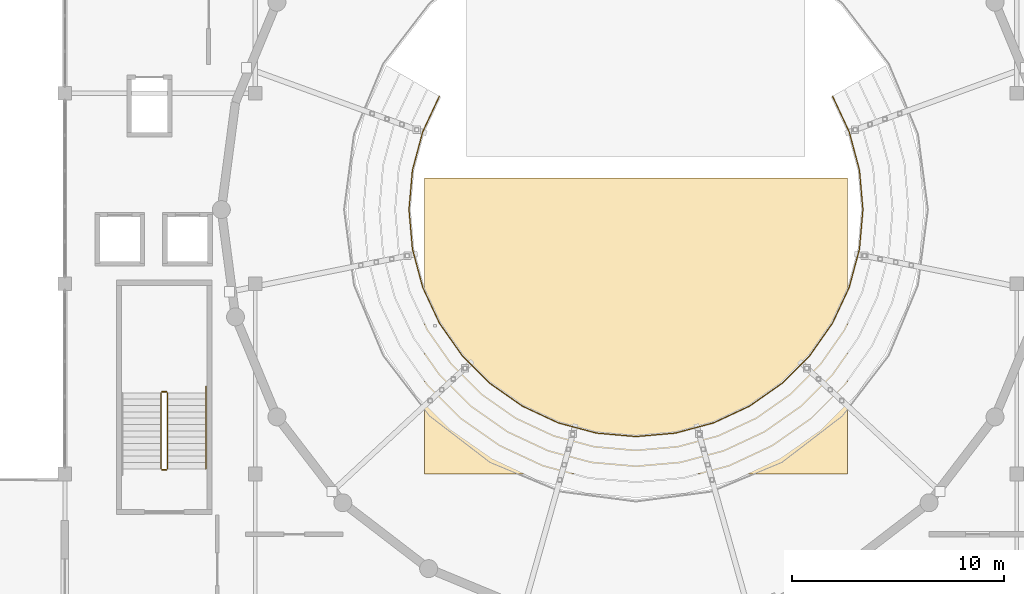
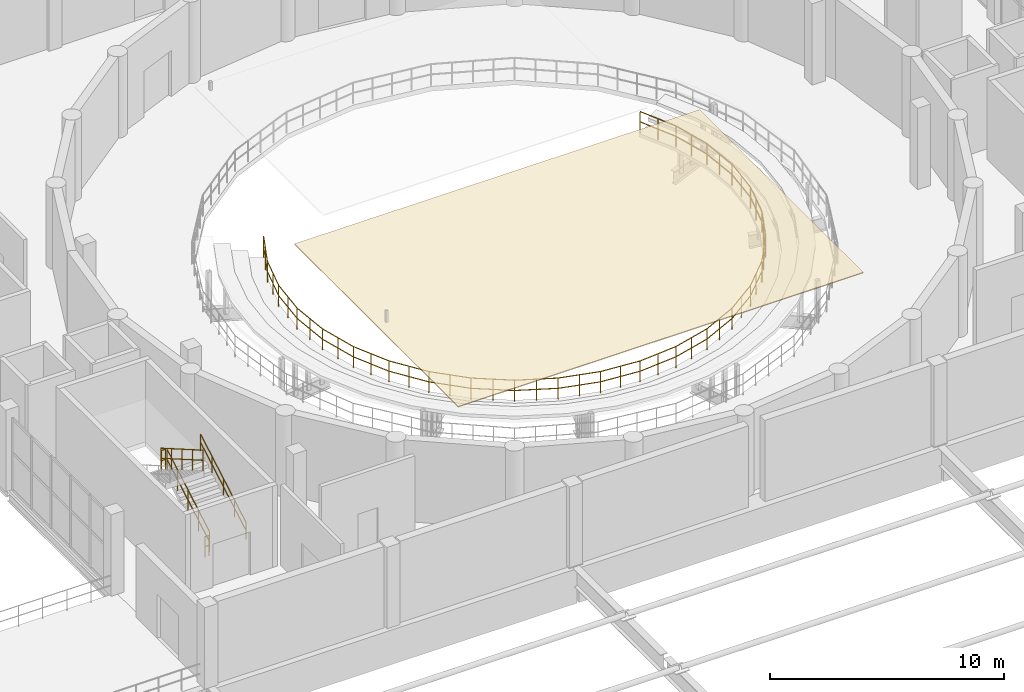
# One storey, part 49 of 54: 6 railings, 1 covering.
"""IFC4 building model written with IfcOpenShell, lengths in metres."""

from ifc_helpers import new_model, si_unit, direction, frame, origin, origin_2d, place, context, subcontext, project, spatial, polyline, circle, outline, extrude, material, layer, layer_set, type_object, element, save


model = new_model("IFC4")

# Units and contexts
model_context = context("Model", 3, precision=1e-05, world=origin(), true_north=direction((0.0, 1.0)))
body_context = subcontext(model_context, "Body", "Model", "MODEL_VIEW")
ifc_project = project(units=[si_unit("LENGTHUNIT", "METRE"), si_unit("AREAUNIT", "SQUARE_METRE"), si_unit("VOLUMEUNIT", "CUBIC_METRE"), si_unit("PLANEANGLEUNIT", "RADIAN"), si_unit("MASSUNIT", "GRAM", prefix="KILO")], contexts=[model_context])

# Site, building, storey
site_placement = place(None, origin())
site = spatial("IfcSite", under=ifc_project, at=site_placement, CompositionType="ELEMENT")
building_placement = place(site_placement, origin())
building = spatial("IfcBuilding", under=site, at=building_placement, Name="Marnock Terrace Opera House", CompositionType="ELEMENT")
storey_placement = place(building_placement, frame((0.0, 0.0, 19.199951171875)))
storey = spatial("IfcBuildingStorey", under=building, at=storey_placement, Name="L04", CompositionType="ELEMENT", Elevation=19.199951171875)

# Covering
ifc_material_1 = material(Name="Perforated Tasmanian oak acoustic ceiling reflector")
ifc_layer = layer(ifc_material_1, 0.044921875)
ifc_layer_set = layer_set([ifc_layer], Name="Perforated Tasmanian oak acoustic ceiling reflector")
covering_type = type_object("IfcCoveringType", Name="COV-CEIL-OAK", PredefinedType="CEILING", material=ifc_layer_set)
covering_placement = place(storey_placement, frame((0.0, 0.0, 3.60009765625)))
element("IfcCovering", 1, at=covering_placement, inside=storey, type_object=covering_type, Name="L04 acoustic reflector ceiling CLG-AUD-CLOUD1", PredefinedType="CEILING", context=body_context, shape_type="SweptSolid", body=[
    extrude(outline(polyline([(72.0, 48.0), (92.0, 48.0), (92.0, 62.0), (72.0, 62.0), (72.0, 48.0)])), origin(), (0.0, 0.0, 1.0), 0.044921875),
])

# Railings
ifc_material_2 = material(Name="Architectural bronze balustrade")
railing_type_1 = type_object("IfcRailingType", Name="RL-ATRIUM-1120", PredefinedType="BALUSTRADE", material=ifc_material_2)
railing_1_placement = place(storey_placement, frame((72.70751953125, 65.864990234375, 0.35009765625)))
element("IfcRailing", 2, at=railing_1_placement, inside=storey, type_object=railing_type_1, Name="L04 floor opening balustrade TIER-FRONT-L04", PredefinedType="BALUSTRADE", context=body_context, shape_type="SweptSolid", body=[
    extrude(circle(Radius=0.02392578125, at=origin_2d()), frame((0.0, 0.0, 1.09619140625), z_axis=(-0.422663928723, -0.906286490773, 0.0), x_axis=(0.906286490773, -0.422663928723, 0.0)), (0.0, 0.0, 1.0), 1.870361328125),
    extrude(circle(Radius=0.02392578125, at=origin_2d()), frame((0.0, 0.0, 0.56005859375), z_axis=(-0.422663928723, -0.906286490773, 0.0), x_axis=(0.906286490773, -0.422663928723, 0.0)), (0.0, 0.0, 1.0), 1.870361328125),
    extrude(circle(Radius=0.02392578125, at=origin_2d()), frame((-0.79052734375, -1.695068359375, 1.09619140625), z_axis=(-0.258718685807, -0.965952711893, 0.0), x_axis=(0.965952711893, -0.258718685807, 0.0)), (0.0, 0.0, 1.0), 1.870361328125),
    extrude(circle(Radius=0.02392578125, at=origin_2d()), frame((-0.79052734375, -1.695068359375, 0.56005859375), z_axis=(-0.258718685807, -0.965952711893, 0.0), x_axis=(0.965952711893, -0.258718685807, 0.0)), (0.0, 0.0, 1.0), 1.870361328125),
    extrude(circle(Radius=0.02392578125, at=origin_2d()), frame((-1.2744140625, -3.501708984375, 1.09619140625), z_axis=(-0.087192857545, -0.996191450271, 0.0), x_axis=(0.996191450271, -0.087192857545, 0.0)), (0.0, 0.0, 1.0), 1.870361328125),
    extrude(circle(Radius=0.02392578125, at=origin_2d()), frame((-1.2744140625, -3.501708984375, 0.56005859375), z_axis=(-0.087192857545, -0.996191450271, 0.0), x_axis=(0.996191450271, -0.087192857545, 0.0)), (0.0, 0.0, 1.0), 1.870361328125),
    extrude(circle(Radius=0.02392578125, at=origin_2d()), frame((-1.4375, -5.364990234375, 1.09619140625), z_axis=(0.087192857545, -0.996191450271, 0.0), x_axis=(0.996191450271, 0.087192857545, 0.0)), (0.0, 0.0, 1.0), 1.870361328125),
    extrude(circle(Radius=0.02392578125, at=origin_2d()), frame((-1.4375, -5.364990234375, 0.56005859375), z_axis=(0.087192857545, -0.996191450271, 0.0), x_axis=(0.996191450271, 0.087192857545, 0.0)), (0.0, 0.0, 1.0), 1.870361328125),
    extrude(circle(Radius=0.02392578125, at=origin_2d()), frame((-1.2744140625, -7.228271484375, 1.09619140625), z_axis=(0.258718685807, -0.965952711893, 0.0), x_axis=(0.965952711893, 0.258718685807, 0.0)), (0.0, 0.0, 1.0), 1.870361328125),
    extrude(circle(Radius=0.02392578125, at=origin_2d()), frame((-1.2744140625, -7.228271484375, 0.56005859375), z_axis=(0.258718685807, -0.965952711893, 0.0), x_axis=(0.965952711893, 0.258718685807, 0.0)), (0.0, 0.0, 1.0), 1.870361328125),
    extrude(circle(Radius=0.02392578125, at=origin_2d()), frame((-0.79052734375, -9.034912109375, 1.09619140625), z_axis=(0.422663928723, -0.906286490773, 0.0), x_axis=(0.906286490773, 0.422663928723, 0.0)), (0.0, 0.0, 1.0), 1.870361328125),
    extrude(circle(Radius=0.02392578125, at=origin_2d()), frame((-0.79052734375, -9.034912109375, 0.56005859375), z_axis=(0.422663928723, -0.906286490773, 0.0), x_axis=(0.906286490773, 0.422663928723, 0.0)), (0.0, 0.0, 1.0), 1.870361328125),
    extrude(circle(Radius=0.02392578125, at=origin_2d()), frame((0.0, -10.72998046875, 1.09619140625), z_axis=(0.573532423483, -0.819182860669, 0.0), x_axis=(0.819182860669, 0.573532423483, 0.0)), (0.0, 0.0, 1.0), 1.870361328125),
    extrude(circle(Radius=0.02392578125, at=origin_2d()), frame((0.0, -10.72998046875, 0.56005859375), z_axis=(0.573532423483, -0.819182860669, 0.0), x_axis=(0.819182860669, 0.573532423483, 0.0)), (0.0, 0.0, 1.0), 1.870361328125),
    extrude(circle(Radius=0.02392578125, at=origin_2d()), frame((1.07275390625, -12.26220703125, 1.09619140625), z_axis=(0.707106781187, -0.707106781187, 0.0), x_axis=(0.707106781187, 0.707106781187, 0.0)), (0.0, 0.0, 1.0), 1.870361328125),
    extrude(circle(Radius=0.02392578125, at=origin_2d()), frame((1.07275390625, -12.26220703125, 0.56005859375), z_axis=(0.707106781187, -0.707106781187, 0.0), x_axis=(0.707106781187, 0.707106781187, 0.0)), (0.0, 0.0, 1.0), 1.870361328125),
    extrude(circle(Radius=0.02392578125, at=origin_2d()), frame((2.395263671875, -13.584716796875, 1.09619140625), z_axis=(0.819182860669, -0.573532423483, 0.0), x_axis=(0.573532423483, 0.819182860669, 0.0)), (0.0, 0.0, 1.0), 1.870361328125),
    extrude(circle(Radius=0.02392578125, at=origin_2d()), frame((2.395263671875, -13.584716796875, 0.56005859375), z_axis=(0.819182860669, -0.573532423483, 0.0), x_axis=(0.573532423483, 0.819182860669, 0.0)), (0.0, 0.0, 1.0), 1.870361328125),
    extrude(circle(Radius=0.02392578125, at=origin_2d()), frame((3.927490234375, -14.657470703125, 1.09619140625), z_axis=(0.906286490773, -0.422663928723, 0.0), x_axis=(0.422663928723, 0.906286490773, 0.0)), (0.0, 0.0, 1.0), 1.870361328125),
    extrude(circle(Radius=0.02392578125, at=origin_2d()), frame((3.927490234375, -14.657470703125, 0.56005859375), z_axis=(0.906286490773, -0.422663928723, 0.0), x_axis=(0.422663928723, 0.906286490773, 0.0)), (0.0, 0.0, 1.0), 1.870361328125),
    extrude(circle(Radius=0.02392578125, at=origin_2d()), frame((5.62255859375, -15.447998046875, 1.09619140625), z_axis=(0.965952711893, -0.258718685807, 0.0), x_axis=(0.258718685807, 0.965952711893, 0.0)), (0.0, 0.0, 1.0), 1.870361328125),
    extrude(circle(Radius=0.02392578125, at=origin_2d()), frame((5.62255859375, -15.447998046875, 0.56005859375), z_axis=(0.965952711893, -0.258718685807, 0.0), x_axis=(0.258718685807, 0.965952711893, 0.0)), (0.0, 0.0, 1.0), 1.870361328125),
    extrude(circle(Radius=0.02392578125, at=origin_2d()), frame((7.42919921875, -15.931884765625, 1.09619140625), z_axis=(0.996191450271, -0.087192857545, 0.0), x_axis=(0.087192857545, 0.996191450271, 0.0)), (0.0, 0.0, 1.0), 1.870361328125),
    extrude(circle(Radius=0.02392578125, at=origin_2d()), frame((7.42919921875, -15.931884765625, 0.56005859375), z_axis=(0.996191450271, -0.087192857545, 0.0), x_axis=(0.087192857545, 0.996191450271, 0.0)), (0.0, 0.0, 1.0), 1.870361328125),
    extrude(circle(Radius=0.02392578125, at=origin_2d()), frame((9.29248046875, -16.094970703125, 1.09619140625), z_axis=(0.996191450271, 0.087192857545, 0.0), x_axis=(-0.087192857545, 0.996191450271, 0.0)), (0.0, 0.0, 1.0), 1.870361328125),
    extrude(circle(Radius=0.02392578125, at=origin_2d()), frame((9.29248046875, -16.094970703125, 0.56005859375), z_axis=(0.996191450271, 0.087192857545, 0.0), x_axis=(-0.087192857545, 0.996191450271, 0.0)), (0.0, 0.0, 1.0), 1.870361328125),
    extrude(circle(Radius=0.02392578125, at=origin_2d()), frame((11.15576171875, -15.931884765625, 1.09619140625), z_axis=(0.965952711893, 0.258718685807, 0.0), x_axis=(-0.258718685807, 0.965952711893, 0.0)), (0.0, 0.0, 1.0), 1.870361328125),
    extrude(circle(Radius=0.02392578125, at=origin_2d()), frame((11.15576171875, -15.931884765625, 0.56005859375), z_axis=(0.965952711893, 0.258718685807, 0.0), x_axis=(-0.258718685807, 0.965952711893, 0.0)), (0.0, 0.0, 1.0), 1.870361328125),
    extrude(circle(Radius=0.02392578125, at=origin_2d()), frame((12.96240234375, -15.447998046875, 1.09619140625), z_axis=(0.906286490773, 0.422663928723, 0.0), x_axis=(-0.422663928723, 0.906286490773, 0.0)), (0.0, 0.0, 1.0), 1.870361328125),
    extrude(circle(Radius=0.02392578125, at=origin_2d()), frame((12.96240234375, -15.447998046875, 0.56005859375), z_axis=(0.906286490773, 0.422663928723, 0.0), x_axis=(-0.422663928723, 0.906286490773, 0.0)), (0.0, 0.0, 1.0), 1.870361328125),
    extrude(circle(Radius=0.02392578125, at=origin_2d()), frame((14.657470703125, -14.657470703125, 1.09619140625), z_axis=(0.819182860669, 0.573532423483, 0.0), x_axis=(-0.573532423483, 0.819182860669, 0.0)), (0.0, 0.0, 1.0), 1.870361328125),
    extrude(circle(Radius=0.02392578125, at=origin_2d()), frame((14.657470703125, -14.657470703125, 0.56005859375), z_axis=(0.819182860669, 0.573532423483, 0.0), x_axis=(-0.573532423483, 0.819182860669, 0.0)), (0.0, 0.0, 1.0), 1.870361328125),
    extrude(circle(Radius=0.02392578125, at=origin_2d()), frame((16.189697265625, -13.584716796875, 1.09619140625), z_axis=(0.707106781187, 0.707106781187, 0.0), x_axis=(-0.707106781187, 0.707106781187, 0.0)), (0.0, 0.0, 1.0), 1.870361328125),
    extrude(circle(Radius=0.02392578125, at=origin_2d()), frame((16.189697265625, -13.584716796875, 0.56005859375), z_axis=(0.707106781187, 0.707106781187, 0.0), x_axis=(-0.707106781187, 0.707106781187, 0.0)), (0.0, 0.0, 1.0), 1.870361328125),
    extrude(circle(Radius=0.02392578125, at=origin_2d()), frame((17.51220703125, -12.26220703125, 1.09619140625), z_axis=(0.573532423483, 0.819182860669, 0.0), x_axis=(-0.819182860669, 0.573532423483, 0.0)), (0.0, 0.0, 1.0), 1.870361328125),
    extrude(circle(Radius=0.02392578125, at=origin_2d()), frame((17.51220703125, -12.26220703125, 0.56005859375), z_axis=(0.573532423483, 0.819182860669, 0.0), x_axis=(-0.819182860669, 0.573532423483, 0.0)), (0.0, 0.0, 1.0), 1.870361328125),
    extrude(circle(Radius=0.02392578125, at=origin_2d()), frame((18.5849609375, -10.72998046875, 1.09619140625), z_axis=(0.422663928723, 0.906286490773, 0.0), x_axis=(-0.906286490773, 0.422663928723, 0.0)), (0.0, 0.0, 1.0), 1.870361328125),
    extrude(circle(Radius=0.02392578125, at=origin_2d()), frame((18.5849609375, -10.72998046875, 0.56005859375), z_axis=(0.422663928723, 0.906286490773, 0.0), x_axis=(-0.906286490773, 0.422663928723, 0.0)), (0.0, 0.0, 1.0), 1.870361328125),
    extrude(circle(Radius=0.02392578125, at=origin_2d()), frame((19.37548828125, -9.034912109375, 1.09619140625), z_axis=(0.258718685807, 0.965952711893, 0.0), x_axis=(-0.965952711893, 0.258718685807, 0.0)), (0.0, 0.0, 1.0), 1.870361328125),
    extrude(circle(Radius=0.02392578125, at=origin_2d()), frame((19.37548828125, -9.034912109375, 0.56005859375), z_axis=(0.258718685807, 0.965952711893, 0.0), x_axis=(-0.965952711893, 0.258718685807, 0.0)), (0.0, 0.0, 1.0), 1.870361328125),
    extrude(circle(Radius=0.02392578125, at=origin_2d()), frame((19.859375, -7.228271484375, 1.09619140625), z_axis=(0.087192857545, 0.996191450271, 0.0), x_axis=(-0.996191450271, 0.087192857545, 0.0)), (0.0, 0.0, 1.0), 1.870361328125),
    extrude(circle(Radius=0.02392578125, at=origin_2d()), frame((19.859375, -7.228271484375, 0.56005859375), z_axis=(0.087192857545, 0.996191450271, 0.0), x_axis=(-0.996191450271, 0.087192857545, 0.0)), (0.0, 0.0, 1.0), 1.870361328125),
    extrude(circle(Radius=0.02392578125, at=origin_2d()), frame((20.0224609375, -5.364990234375, 1.09619140625), z_axis=(-0.087192857545, 0.996191450271, 0.0), x_axis=(-0.996191450271, -0.087192857545, 0.0)), (0.0, 0.0, 1.0), 1.870361328125),
    extrude(circle(Radius=0.02392578125, at=origin_2d()), frame((20.0224609375, -5.364990234375, 0.56005859375), z_axis=(-0.087192857545, 0.996191450271, 0.0), x_axis=(-0.996191450271, -0.087192857545, 0.0)), (0.0, 0.0, 1.0), 1.870361328125),
    extrude(circle(Radius=0.02392578125, at=origin_2d()), frame((19.859375, -3.501708984375, 1.09619140625), z_axis=(-0.258718685807, 0.965952711893, 0.0), x_axis=(-0.965952711893, -0.258718685807, 0.0)), (0.0, 0.0, 1.0), 1.870361328125),
    extrude(circle(Radius=0.02392578125, at=origin_2d()), frame((19.859375, -3.501708984375, 0.56005859375), z_axis=(-0.258718685807, 0.965952711893, 0.0), x_axis=(-0.965952711893, -0.258718685807, 0.0)), (0.0, 0.0, 1.0), 1.870361328125),
    extrude(circle(Radius=0.02392578125, at=origin_2d()), frame((19.37548828125, -1.695068359375, 1.09619140625), z_axis=(-0.422663928723, 0.906286490773, 0.0), x_axis=(-0.906286490773, -0.422663928723, 0.0)), (0.0, 0.0, 1.0), 1.870361328125),
    extrude(circle(Radius=0.02392578125, at=origin_2d()), frame((19.37548828125, -1.695068359375, 0.56005859375), z_axis=(-0.422663928723, 0.906286490773, 0.0), x_axis=(-0.906286490773, -0.422663928723, 0.0)), (0.0, 0.0, 1.0), 1.870361328125),
    extrude(circle(Radius=0.02099609375, at=origin_2d()), origin(), (0.0, 0.0, 1.0), 1.072021484375),
    extrude(circle(Radius=0.02099609375, at=origin_2d()), frame((-0.395263671875, -0.84765625, 0.0)), (0.0, 0.0, 1.0), 1.072021484375),
    extrude(circle(Radius=0.02099609375, at=origin_2d()), frame((-0.79052734375, -1.695068359375, 0.0)), (0.0, 0.0, 1.0), 1.072021484375),
    extrude(circle(Radius=0.02099609375, at=origin_2d()), frame((-1.032470703125, -2.598388671875, 0.0)), (0.0, 0.0, 1.0), 1.072021484375),
    extrude(circle(Radius=0.02099609375, at=origin_2d()), frame((-1.2744140625, -3.501708984375, 0.0)), (0.0, 0.0, 1.0), 1.072021484375),
    extrude(circle(Radius=0.02099609375, at=origin_2d()), frame((-1.35595703125, -4.433349609375, 0.0)), (0.0, 0.0, 1.0), 1.072021484375),
    extrude(circle(Radius=0.02099609375, at=origin_2d()), frame((-1.4375, -5.364990234375, 0.0)), (0.0, 0.0, 1.0), 1.072021484375),
    extrude(circle(Radius=0.02099609375, at=origin_2d()), frame((-1.35595703125, -6.296630859375, 0.0)), (0.0, 0.0, 1.0), 1.072021484375),
    extrude(circle(Radius=0.02099609375, at=origin_2d()), frame((-1.2744140625, -7.228271484375, 0.0)), (0.0, 0.0, 1.0), 1.072021484375),
    extrude(circle(Radius=0.02099609375, at=origin_2d()), frame((-1.032470703125, -8.131591796875, 0.0)), (0.0, 0.0, 1.0), 1.072021484375),
    extrude(circle(Radius=0.02099609375, at=origin_2d()), frame((-0.79052734375, -9.034912109375, 0.0)), (0.0, 0.0, 1.0), 1.072021484375),
    extrude(circle(Radius=0.02099609375, at=origin_2d()), frame((-0.395263671875, -9.88232421875, 0.0)), (0.0, 0.0, 1.0), 1.072021484375),
    extrude(circle(Radius=0.02099609375, at=origin_2d()), frame((0.0, -10.72998046875, 0.0)), (0.0, 0.0, 1.0), 1.072021484375),
    extrude(circle(Radius=0.02099609375, at=origin_2d()), frame((0.536376953125, -11.49609375, 0.0)), (0.0, 0.0, 1.0), 1.072021484375),
    extrude(circle(Radius=0.02099609375, at=origin_2d()), frame((1.07275390625, -12.26220703125, 0.0)), (0.0, 0.0, 1.0), 1.072021484375),
    extrude(circle(Radius=0.02099609375, at=origin_2d()), frame((1.73388671875, -12.92333984375, 0.0)), (0.0, 0.0, 1.0), 1.072021484375),
    extrude(circle(Radius=0.02099609375, at=origin_2d()), frame((2.395263671875, -13.584716796875, 0.0)), (0.0, 0.0, 1.0), 1.072021484375),
    extrude(circle(Radius=0.02099609375, at=origin_2d()), frame((3.161376953125, -14.12109375, 0.0)), (0.0, 0.0, 1.0), 1.072021484375),
    extrude(circle(Radius=0.02099609375, at=origin_2d()), frame((3.927490234375, -14.657470703125, 0.0)), (0.0, 0.0, 1.0), 1.072021484375),
    extrude(circle(Radius=0.02099609375, at=origin_2d()), frame((4.77490234375, -15.052734375, 0.0)), (0.0, 0.0, 1.0), 1.072021484375),
    extrude(circle(Radius=0.02099609375, at=origin_2d()), frame((5.62255859375, -15.447998046875, 0.0)), (0.0, 0.0, 1.0), 1.072021484375),
    extrude(circle(Radius=0.02099609375, at=origin_2d()), frame((6.52587890625, -15.68994140625, 0.0)), (0.0, 0.0, 1.0), 1.072021484375),
    extrude(circle(Radius=0.02099609375, at=origin_2d()), frame((7.42919921875, -15.931884765625, 0.0)), (0.0, 0.0, 1.0), 1.072021484375),
    extrude(circle(Radius=0.02099609375, at=origin_2d()), frame((8.36083984375, -16.013427734375, 0.0)), (0.0, 0.0, 1.0), 1.072021484375),
    extrude(circle(Radius=0.02099609375, at=origin_2d()), frame((9.29248046875, -16.094970703125, 0.0)), (0.0, 0.0, 1.0), 1.072021484375),
    extrude(circle(Radius=0.02099609375, at=origin_2d()), frame((10.22412109375, -16.013427734375, 0.0)), (0.0, 0.0, 1.0), 1.072021484375),
    extrude(circle(Radius=0.02099609375, at=origin_2d()), frame((11.15576171875, -15.931884765625, 0.0)), (0.0, 0.0, 1.0), 1.072021484375),
    extrude(circle(Radius=0.02099609375, at=origin_2d()), frame((12.05908203125, -15.68994140625, 0.0)), (0.0, 0.0, 1.0), 1.072021484375),
    extrude(circle(Radius=0.02099609375, at=origin_2d()), frame((12.96240234375, -15.447998046875, 0.0)), (0.0, 0.0, 1.0), 1.072021484375),
    extrude(circle(Radius=0.02099609375, at=origin_2d()), frame((13.81005859375, -15.052734375, 0.0)), (0.0, 0.0, 1.0), 1.072021484375),
    extrude(circle(Radius=0.02099609375, at=origin_2d()), frame((14.657470703125, -14.657470703125, 0.0)), (0.0, 0.0, 1.0), 1.072021484375),
    extrude(circle(Radius=0.02099609375, at=origin_2d()), frame((15.423583984375, -14.12109375, 0.0)), (0.0, 0.0, 1.0), 1.072021484375),
    extrude(circle(Radius=0.02099609375, at=origin_2d()), frame((16.189697265625, -13.584716796875, 0.0)), (0.0, 0.0, 1.0), 1.072021484375),
    extrude(circle(Radius=0.02099609375, at=origin_2d()), frame((16.85107421875, -12.92333984375, 0.0)), (0.0, 0.0, 1.0), 1.072021484375),
    extrude(circle(Radius=0.02099609375, at=origin_2d()), frame((17.51220703125, -12.26220703125, 0.0)), (0.0, 0.0, 1.0), 1.072021484375),
    extrude(circle(Radius=0.02099609375, at=origin_2d()), frame((18.048583984375, -11.49609375, 0.0)), (0.0, 0.0, 1.0), 1.072021484375),
    extrude(circle(Radius=0.02099609375, at=origin_2d()), frame((18.5849609375, -10.72998046875, 0.0)), (0.0, 0.0, 1.0), 1.072021484375),
    extrude(circle(Radius=0.02099609375, at=origin_2d()), frame((18.980224609375, -9.88232421875, 0.0)), (0.0, 0.0, 1.0), 1.072021484375),
    extrude(circle(Radius=0.02099609375, at=origin_2d()), frame((19.37548828125, -9.034912109375, 0.0)), (0.0, 0.0, 1.0), 1.072021484375),
    extrude(circle(Radius=0.02099609375, at=origin_2d()), frame((19.617431640625, -8.131591796875, 0.0)), (0.0, 0.0, 1.0), 1.072021484375),
    extrude(circle(Radius=0.02099609375, at=origin_2d()), frame((19.859375, -7.228271484375, 0.0)), (0.0, 0.0, 1.0), 1.072021484375),
    extrude(circle(Radius=0.02099609375, at=origin_2d()), frame((19.94091796875, -6.296630859375, 0.0)), (0.0, 0.0, 1.0), 1.072021484375),
    extrude(circle(Radius=0.02099609375, at=origin_2d()), frame((20.0224609375, -5.364990234375, 0.0)), (0.0, 0.0, 1.0), 1.072021484375),
    extrude(circle(Radius=0.02099609375, at=origin_2d()), frame((19.94091796875, -4.433349609375, 0.0)), (0.0, 0.0, 1.0), 1.072021484375),
    extrude(circle(Radius=0.02099609375, at=origin_2d()), frame((19.859375, -3.501708984375, 0.0)), (0.0, 0.0, 1.0), 1.072021484375),
    extrude(circle(Radius=0.02099609375, at=origin_2d()), frame((19.617431640625, -2.598388671875, 0.0)), (0.0, 0.0, 1.0), 1.072021484375),
    extrude(circle(Radius=0.02099609375, at=origin_2d()), frame((19.37548828125, -1.695068359375, 0.0)), (0.0, 0.0, 1.0), 1.072021484375),
    extrude(circle(Radius=0.02099609375, at=origin_2d()), frame((18.980224609375, -0.84765625, 0.0)), (0.0, 0.0, 1.0), 1.072021484375),
    extrude(circle(Radius=0.02099609375, at=origin_2d()), frame((18.5849609375, 0.0, 0.0)), (0.0, 0.0, 1.0), 1.072021484375),
])
railing_type_2 = type_object("IfcRailingType", Name="RL-GUARD-1100", PredefinedType="GUARDRAIL", material=ifc_material_2)
railing_2_placement = place(storey_placement, frame((59.85009765625, 48.239990234375, 0.173095703125)))
element("IfcRailing", 3, at=railing_2_placement, inside=storey, type_object=railing_type_2, Name="L04 ST-01 stair guard 1", PredefinedType="GUARDRAIL", context=body_context, shape_type="SweptSolid", body=[
    extrude(circle(Radius=0.02392578125, at=origin_2d()), frame((0.0, 0.0, 1.076171875), z_axis=(0.0, 0.866193409371, 0.499708892819), x_axis=(-1.0, 0.0, 0.0)), (0.0, 0.0, 1.0), 4.15625),
    extrude(circle(Radius=0.02392578125, at=origin_2d()), frame((0.0, 0.0, 0.550048828125), z_axis=(0.0, 0.866193409371, 0.499708892819), x_axis=(-1.0, 0.0, 0.0)), (0.0, 0.0, 1.0), 4.15625),
    extrude(circle(Radius=0.02099609375, at=origin_2d()), origin(), (0.0, 0.0, 1.0), 1.052001953125),
    extrude(circle(Radius=0.02099609375, at=origin_2d()), frame((0.0, 0.89990234375, 0.519287109375)), (0.0, 0.0, 1.0), 1.052001953125),
    extrude(circle(Radius=0.02099609375, at=origin_2d()), frame((0.0, 1.800048828125, 1.03857421875)), (0.0, 0.0, 1.0), 1.052001953125),
    extrude(circle(Radius=0.02099609375, at=origin_2d()), frame((0.0, 2.7001953125, 1.5576171875)), (0.0, 0.0, 1.0), 1.052001953125),
    extrude(circle(Radius=0.02099609375, at=origin_2d()), frame((0.0, 3.60009765625, 2.076904296875)), (0.0, 0.0, 1.0), 1.052001953125),
])
railing_3_placement = place(storey_placement, frame((59.800048828125, 51.889892578125, 2.25)))
element("IfcRailing", 4, at=railing_3_placement, inside=storey, type_object=railing_type_2, Name="L04 ST-01 stair guard 2", PredefinedType="GUARDRAIL", context=body_context, shape_type="SweptSolid", body=[
    extrude(circle(Radius=0.02392578125, at=origin_2d()), frame((0.0, 0.0, 1.076171875), z_axis=(-1.0, 0.0, 0.0), x_axis=(0.0, -1.0, 0.0)), (0.0, 0.0, 1.0), 0.199951171875),
    extrude(circle(Radius=0.02392578125, at=origin_2d()), frame((0.0, 0.0, 0.550048828125), z_axis=(-1.0, 0.0, 0.0), x_axis=(0.0, -1.0, 0.0)), (0.0, 0.0, 1.0), 0.199951171875),
    extrude(circle(Radius=0.02099609375, at=origin_2d()), origin(), (0.0, 0.0, 1.0), 1.052001953125),
    extrude(circle(Radius=0.02099609375, at=origin_2d()), frame((-0.199951171875, 0.0, 0.0)), (0.0, 0.0, 1.0), 1.052001953125),
])
railing_4_placement = place(storey_placement, frame((59.550048828125, 51.840087890625, 2.423095703125)))
element("IfcRailing", 5, at=railing_4_placement, inside=storey, type_object=railing_type_2, Name="L04 ST-01 stair guard 3", PredefinedType="GUARDRAIL", context=body_context, shape_type="SweptSolid", body=[
    extrude(circle(Radius=0.02392578125, at=origin_2d()), frame((0.0, 0.0, 1.076171875), z_axis=(0.0, -0.866193409371, 0.499708892819), x_axis=(1.0, 0.0, 0.0)), (0.0, 0.0, 1.0), 4.15625),
    extrude(circle(Radius=0.02392578125, at=origin_2d()), frame((0.0, 0.0, 0.550048828125), z_axis=(0.0, -0.866193409371, 0.499708892819), x_axis=(1.0, 0.0, 0.0)), (0.0, 0.0, 1.0), 4.15625),
    extrude(circle(Radius=0.02099609375, at=origin_2d()), origin(), (0.0, 0.0, 1.0), 1.052001953125),
    extrude(circle(Radius=0.02099609375, at=origin_2d()), frame((0.0, -0.89990234375, 0.519287109375)), (0.0, 0.0, 1.0), 1.052001953125),
    extrude(circle(Radius=0.02099609375, at=origin_2d()), frame((0.0, -1.800048828125, 1.03857421875)), (0.0, 0.0, 1.0), 1.052001953125),
    extrude(circle(Radius=0.02099609375, at=origin_2d()), frame((0.0, -2.7001953125, 1.5576171875)), (0.0, 0.0, 1.0), 1.052001953125),
    extrude(circle(Radius=0.02099609375, at=origin_2d()), frame((0.0, -3.60009765625, 2.076904296875)), (0.0, 0.0, 1.0), 1.052001953125),
])
railing_5_placement = place(storey_placement, frame((59.800048828125, 48.18994140625, 0.0)))
element("IfcRailing", 6, at=railing_5_placement, inside=storey, type_object=railing_type_2, Name="L04 ST-01 stair guard 4", PredefinedType="GUARDRAIL", context=body_context, shape_type="SweptSolid", body=[
    extrude(circle(Radius=0.02392578125, at=origin_2d()), frame((0.0, 0.0, 1.076171875), z_axis=(-1.0, 0.0, 0.0), x_axis=(0.0, -1.0, 0.0)), (0.0, 0.0, 1.0), 0.199951171875),
    extrude(circle(Radius=0.02392578125, at=origin_2d()), frame((0.0, 0.0, 0.550048828125), z_axis=(-1.0, 0.0, 0.0), x_axis=(0.0, -1.0, 0.0)), (0.0, 0.0, 1.0), 0.199951171875),
    extrude(circle(Radius=0.02099609375, at=origin_2d()), origin(), (0.0, 0.0, 1.0), 1.052001953125),
    extrude(circle(Radius=0.02099609375, at=origin_2d()), frame((-0.199951171875, 0.0, 0.0)), (0.0, 0.0, 1.0), 1.052001953125),
])
railing_type_3 = type_object("IfcRailingType", Name="RL-HAND-900", PredefinedType="HANDRAIL", material=ifc_material_2)
railing_6_placement = place(storey_placement, frame((61.669921875, 48.239990234375, 0.18505859375)))
element("IfcRailing", 7, at=railing_6_placement, inside=storey, type_object=railing_type_3, Name="L04 ST-01 stair handrail 1", PredefinedType="HANDRAIL", context=body_context, shape_type="SweptSolid", body=[
    extrude(circle(Radius=0.02392578125, at=origin_2d()), frame((0.0, 0.0, 0.8759765625), z_axis=(0.0, 0.866180169578, 0.49973184192), x_axis=(-1.0, 0.0, 0.0)), (0.0, 0.0, 1.0), 4.50244140625),
    extrude(circle(Radius=0.02392578125, at=origin_2d()), frame((0.0, 0.0, 0.449951171875), z_axis=(0.0, 0.866180169578, 0.49973184192), x_axis=(-1.0, 0.0, 0.0)), (0.0, 0.0, 1.0), 4.50244140625),
    extrude(circle(Radius=0.02099609375, at=origin_2d()), origin(), (0.0, 0.0, 1.0), 0.851806640625),
    extrude(circle(Radius=0.02099609375, at=origin_2d()), frame((0.0, 0.97509765625, 0.5625)), (0.0, 0.0, 1.0), 0.851806640625),
    extrude(circle(Radius=0.02099609375, at=origin_2d()), frame((0.0, 1.949951171875, 1.125)), (0.0, 0.0, 1.0), 0.851806640625),
    extrude(circle(Radius=0.02099609375, at=origin_2d()), frame((0.0, 2.9248046875, 1.6875)), (0.0, 0.0, 1.0), 0.851806640625),
    extrude(circle(Radius=0.02099609375, at=origin_2d()), frame((0.0, 3.89990234375, 2.25)), (0.0, 0.0, 1.0), 0.851806640625),
])

save(model, "model.ifc")
